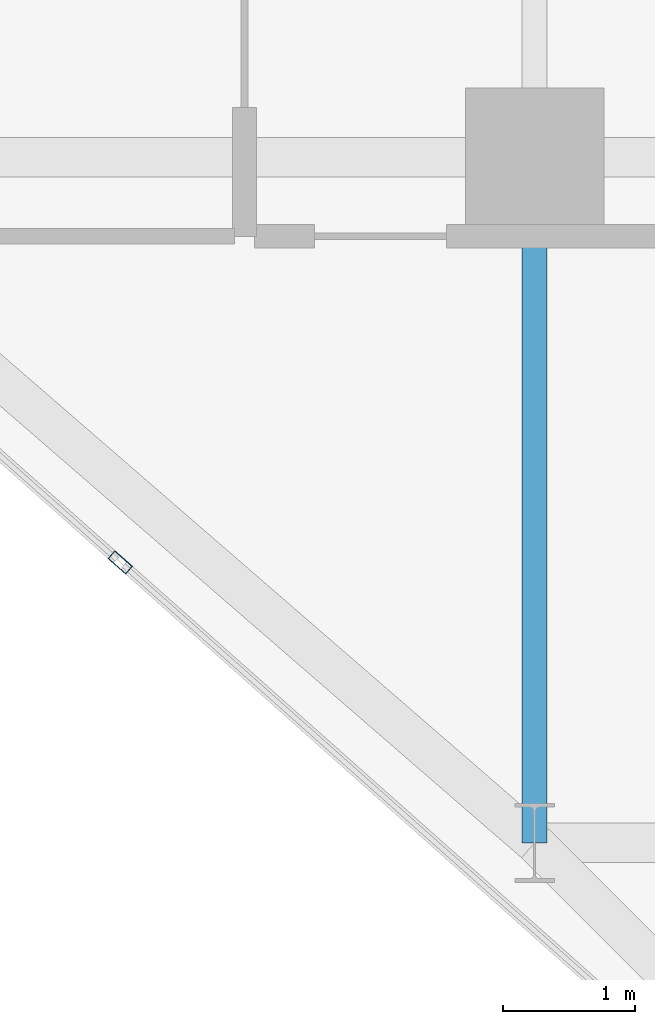
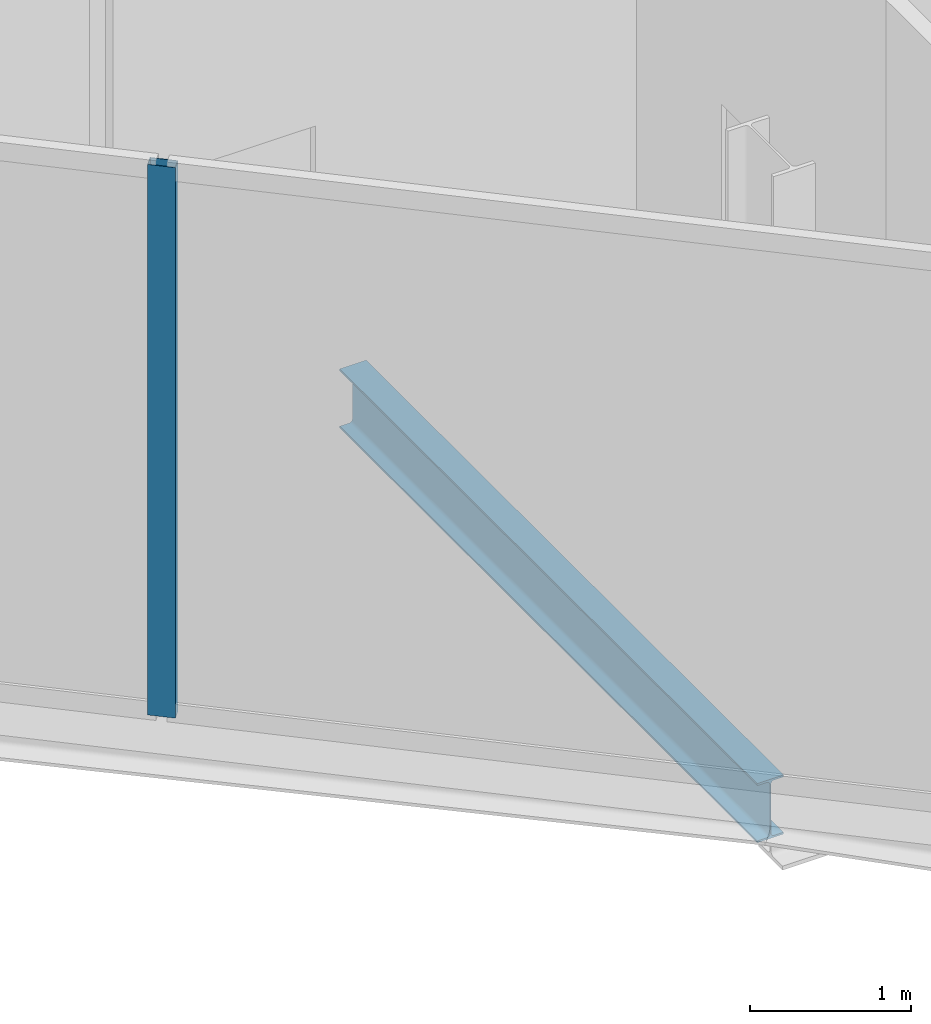
# One storey, part 3 of 30: 1 beam, 1 member, 1 element without a shape of its own.
"""IFC4 building model written with IfcOpenShell, lengths in metres."""

import ifcopenshell
import ifcopenshell.guid

model = None  # the IFC model being written
_history = None  # IfcOwnerHistory: only IFC2X3 demands one
_inside = {}  # id of a spatial element -> (the spatial element, [elements in it])
_under = {}  # id of a project, library or spatial element -> (it, [spatial elements below it])
_declared = {}  # id of a project -> (the project, [libraries it declares])
_typed = {}  # id of a type object -> (the type object, [elements of that type])
_made_of = {}  # id of a material, layer set ... -> (it, [elements and type objects made of it])


def new_model(schema):
    """Start an empty IFC model of exactly this schema.

    Asked for "IFC4X3", IfcOpenShell would pick the latest addendum, in which some entities
    have other attributes; the version numbers below select the first issue.
    IFC2X3 requires an IfcOwnerHistory on every rooted entity: one is made here for all.
    """
    global model, _history
    if schema == "IFC4X3":
        model = ifcopenshell.file(schema_version=(4, 3, 0, 0))
    else:
        model = ifcopenshell.file(schema=schema)
    _inside.clear()
    _under.clear()
    _declared.clear()
    _typed.clear()
    _made_of.clear()
    _history = None
    if model.schema == "IFC2X3":
        org = make("IfcOrganization", Name="unknown")
        user = make(
            "IfcPersonAndOrganization",
            ThePerson=make("IfcPerson", FamilyName="unknown"),
            TheOrganization=org,
        )
        app = make(
            "IfcApplication",
            ApplicationDeveloper=org,
            Version="unknown",
            ApplicationFullName="unknown",
            ApplicationIdentifier="unknown",
        )
        _history = make(
            "IfcOwnerHistory",
            OwningUser=user,
            OwningApplication=app,
            ChangeAction="ADDED",
            CreationDate=0,
        )
    return model


def make(cls, **values):
    """One entity of the class cls with the attributes given. An attribute that is None is left unset."""
    return model.create_entity(
        cls, **{name: value for name, value in values.items() if value is not None}
    )


def rooted(cls, **values):
    """An entity with a GlobalId (a new one), such as an element, a storey or a relation."""
    return make(cls, GlobalId=ifcopenshell.guid.new(), OwnerHistory=_history, **values)


def si_unit(unit_type, name, prefix=None):
    """IfcSIUnit, for example si_unit("LENGTHUNIT", "METRE", prefix="MILLI")."""
    return make("IfcSIUnit", UnitType=unit_type, Prefix=prefix, Name=name)


def assignment(units):
    """IfcUnitAssignment: the units of a project."""
    return None if units is None else make("IfcUnitAssignment", Units=units)


def point(xyz):
    """IfcCartesianPoint."""
    return None if xyz is None else make("IfcCartesianPoint", Coordinates=xyz)


def direction(xyz):
    """IfcDirection."""
    return None if xyz is None else make("IfcDirection", DirectionRatios=xyz)


def frame(location, z_axis=None, x_axis=None):
    """IfcAxis2Placement3D, a coordinate frame: its origin and axes. An axis left out is left unset."""
    return make(
        "IfcAxis2Placement3D",
        Location=point(location),
        Axis=direction(z_axis),
        RefDirection=direction(x_axis),
    )


def frame_2d(location, x_axis=None):
    """IfcAxis2Placement2D, a coordinate frame in the plane: its origin and x axis."""
    return make(
        "IfcAxis2Placement2D", Location=point(location), RefDirection=direction(x_axis)
    )


def origin():
    """The frame at (0, 0, 0) with its axes left unset."""
    return frame((0.0, 0.0, 0.0))


def origin_2d():
    """The frame at (0, 0) in the plane with its x axis left unset."""
    return frame_2d((0.0, 0.0))


def place(relative_to, where):
    """IfcLocalPlacement: puts the frame where relative to a parent placement (None: the world)."""
    return make(
        "IfcLocalPlacement", PlacementRelTo=relative_to, RelativePlacement=where
    )


def context(
    kind, dimensions, precision=None, world=None, true_north=None, identifier=None
):
    """IfcGeometricRepresentationContext, for example the 3D "Model" context."""
    return make(
        "IfcGeometricRepresentationContext",
        ContextIdentifier=identifier,
        ContextType=kind,
        CoordinateSpaceDimension=dimensions,
        Precision=precision,
        WorldCoordinateSystem=world,
        TrueNorth=true_north,
    )


def subcontext(parent, identifier, kind, view, scale=None):
    """IfcGeometricRepresentationSubContext, for example "Body" below "Model"."""
    return make(
        "IfcGeometricRepresentationSubContext",
        ContextIdentifier=identifier,
        ContextType=kind,
        ParentContext=parent,
        TargetScale=scale,
        TargetView=view,
    )


def project(units=None, contexts=None):
    """IfcProject with its units and contexts."""
    return rooted(
        "IfcProject",
        Name="project",
        RepresentationContexts=contexts,
        UnitsInContext=assignment(units),
    )


def spatial(cls, under=None, at=None, **own):
    """A site, building, storey or space (cls), placed at a placement, below another one or the project."""
    s = rooted(cls, ObjectPlacement=at, **own)
    if under is not None:
        _under.setdefault(under.id(), (under, []))[1].append(s)
    return s


def profile(cls, at=None, kind="AREA", **sizes):
    """A parametric profile (cls). Its sizes go by their IFC names, for example OverallWidth=200.0."""
    return make(cls, ProfileType=kind, Position=at, **sizes)


def hollow_rectangle(**sizes):
    """IfcRectangleHollowProfileDef."""
    return profile("IfcRectangleHollowProfileDef", **sizes)


def i_section(**sizes):
    """IfcIShapeProfileDef."""
    return profile("IfcIShapeProfileDef", **sizes)


def extrude(swept, where, along, depth):
    """IfcExtrudedAreaSolid: the profile swept, set in the frame where, extruded along a direction by depth."""
    return make(
        "IfcExtrudedAreaSolid",
        SweptArea=swept,
        Position=where,
        ExtrudedDirection=direction(along),
        Depth=depth,
    )


def shape(context_of_items, identifier, shape_type, items):
    """IfcShapeRepresentation: the items that make up one representation, for example the "Body"."""
    return make(
        "IfcShapeRepresentation",
        ContextOfItems=context_of_items,
        RepresentationIdentifier=identifier,
        RepresentationType=shape_type,
        Items=items,
    )


def material(Name=None, Category=None):
    """IfcMaterial."""
    return make("IfcMaterial", Name=Name, Category=Category)


def layer(
    of_material, thickness, ventilated=None, Name=None, Category=None, Priority=None
):
    """IfcMaterialLayer: one layer of a wall or slab, of a material (None: an air gap)."""
    return make(
        "IfcMaterialLayer",
        Material=of_material,
        LayerThickness=thickness,
        IsVentilated=ventilated,
        Name=Name,
        Category=Category,
        Priority=Priority,
    )


def layer_set(layers, Name=None):
    """IfcMaterialLayerSet."""
    return make("IfcMaterialLayerSet", MaterialLayers=layers, LayerSetName=Name)


def material_profile(
    of_material, cross_section, Name=None, Category=None, Priority=None
):
    """IfcMaterialProfile: a cross section and its material."""
    return make(
        "IfcMaterialProfile",
        Name=Name,
        Material=of_material,
        Profile=cross_section,
        Priority=Priority,
        Category=Category,
    )


def profile_set(profiles, Name=None, composite=None):
    """IfcMaterialProfileSet."""
    return make(
        "IfcMaterialProfileSet",
        Name=Name,
        MaterialProfiles=profiles,
        CompositeProfile=composite,
    )


def made_of(thing, what):
    """Note that an element or type object is made of a material, layer set ...; save() writes the relation."""
    if what is not None:
        _made_of.setdefault(what.id(), (what, []))[1].append(thing)
    return thing


def type_object(cls, material=None, **own):
    """A type object (cls), such as IfcWallType, which elements share."""
    return made_of(rooted(cls, **own), material)


def element(
    cls,
    number,
    at=None,
    inside=None,
    cuts=None,
    type_object=None,
    material=None,
    context=None,
    identifier="Body",
    shape_type=None,
    held_by="IfcProductDefinitionShape",
    body=None,
    shapes=None,
    **own,
):
    """One element of the class cls, such as IfcWall. Its Tag is "e" and its number.

    at: its placement. inside: the storey or other place that contains it. cuts: it is an
    opening in that element (IfcRelVoidsElement). A single representation is given by context,
    identifier, shape_type and body (its items); several are given by shapes. held_by: the class
    of the entity that holds the representations. save() writes the other relations.
    """
    e = rooted(cls, Tag="e%d" % number, ObjectPlacement=at, **own)
    if body is not None:
        shapes = [shape(context, identifier, shape_type, body)]
    if shapes is not None:
        e.Representation = make(held_by, Representations=shapes)
    if inside is not None:
        _inside.setdefault(inside.id(), (inside, []))[1].append(e)
    if cuts is not None:
        rooted(
            "IfcRelVoidsElement", RelatingBuildingElement=cuts, RelatedOpeningElement=e
        )
    if type_object is not None:
        _typed.setdefault(type_object.id(), (type_object, []))[1].append(e)
    return made_of(e, material)


def aggregate(whole, parts):
    """IfcRelAggregates: a whole, such as a stair, and the parts it consists of."""
    return rooted("IfcRelAggregates", RelatingObject=whole, RelatedObjects=parts)


def save(model, path):
    """Write the relations noted so far, then the file.

    IfcRelAggregates (storeys below a building ...), IfcRelContainedInSpatialStructure (elements
    in a storey), IfcRelDefinesByType, IfcRelAssociatesMaterial and IfcRelDeclares: one each for
    every whole, place, type object, material and project.
    """
    for whole, parts in _under.values():
        aggregate(whole, parts)
    for where, things in _inside.values():
        rooted(
            "IfcRelContainedInSpatialStructure",
            RelatedElements=things,
            RelatingStructure=where,
        )
    for kind, things in _typed.values():
        rooted("IfcRelDefinesByType", RelatedObjects=things, RelatingType=kind)
    for what, things in _made_of.values():
        rooted("IfcRelAssociatesMaterial", RelatedObjects=things, RelatingMaterial=what)
    for by, libraries in _declared.values():
        rooted("IfcRelDeclares", RelatingContext=by, RelatedDefinitions=libraries)
    model.write(path)


model = new_model("IFC4")

# Units and contexts
model_context = context("Model", 3, precision=1e-05, world=origin(), true_north=direction((0.0, 1.0)))
body_context = subcontext(model_context, "Body", "Model", "MODEL_VIEW")
ifc_project = project(units=[si_unit("LENGTHUNIT", "METRE"), si_unit("AREAUNIT", "SQUARE_METRE"), si_unit("VOLUMEUNIT", "CUBIC_METRE"), si_unit("PLANEANGLEUNIT", "RADIAN"), si_unit("MASSUNIT", "GRAM", prefix="KILO")], contexts=[model_context])

# Site, building, storey
site_placement = place(None, origin())
site = spatial("IfcSite", under=ifc_project, at=site_placement, CompositionType="ELEMENT")
building_placement = place(site_placement, origin())
building = spatial("IfcBuilding", under=site, at=building_placement, Name="Keshet Zoharim Tower", CompositionType="ELEMENT")
storey_placement = place(building_placement, frame((0.0, 0.0, 86.39990234375)))
storey = spatial("IfcBuildingStorey", under=building, at=storey_placement, Name="L20", CompositionType="ELEMENT", Elevation=86.39990234375)

# Beam
ifc_material_1 = material(Name="Steel S355", Category="steel")
ifc_material_profile_1 = material_profile(ifc_material_1, i_section(OverallWidth=0.18994140625, OverallDepth=0.449951171875, WebThickness=0.009521484375, FlangeThickness=0.0146484375, FilletRadius=0.02099609375, at=origin_2d()), Name="IPE450")
ifc_profile_set_1 = profile_set([ifc_material_profile_1], Name="Steel S355")
beam_type = type_object("IfcBeamType", Name="BM-PRI-IP450", PredefinedType="BEAM", material=ifc_profile_set_1)
beam_placement = place(storey_placement, frame((15.0, 12.699951171875, -0.539794921875), z_axis=(0.0, 1.0, 0.0), x_axis=(-1.0, 0.0, 0.0)))
element("IfcBeam", 1, at=beam_placement, inside=storey, type_object=beam_type, Name="L20 Primary Girder Y-002", PredefinedType="BEAM", context=body_context, shape_type="SweptSolid", body=[
    extrude(i_section(OverallWidth=0.18994140625, OverallDepth=0.449951171875, WebThickness=0.009521484375, FlangeThickness=0.0146484375, FilletRadius=0.02099609375, at=origin_2d()), origin(), (0.0, 0.0, 1.0), 5.199951171875),
])

# Curtain wall, member
ifc_material_2 = material(Name="Aluminium 6063-T6", Category="aluminium")
ifc_layer = layer(ifc_material_2, 0.159912109375)
ifc_layer_set = layer_set([ifc_layer], Name="Aluminium 6063-T6")
curtain_wall_type = type_object("IfcCurtainWallType", Name="CW-SYS-03", PredefinedType="NOTDEFINED", material=ifc_layer_set)
curtain_wall_placement = place(storey_placement, origin())
curtain_wall = element("IfcCurtainWall", 2, at=curtain_wall_placement, inside=storey, type_object=curtain_wall_type, Name="L20 Unitised Curtain Wall 07 Part 2", PredefinedType="NOTDEFINED")
ifc_material_profile_2 = material_profile(ifc_material_2, hollow_rectangle(XDim=0.080078125, YDim=0.179931640625, WallThickness=0.00439453125, at=origin_2d()), Name="MUL-80x180")
ifc_profile_set_2 = profile_set([ifc_material_profile_2], Name="Aluminium 6063-T6")
member_type = type_object("IfcMemberType", Name="CWM-M18", PredefinedType="MULLION", material=ifc_profile_set_2)
member_placement = place(storey_placement, frame((11.85791015625, 14.826416015625, 0.0), z_axis=(0.0, 0.0, 1.0), x_axis=(-0.664364135343, -0.747409055117, 0.0)))
member = element("IfcMember", 3, at=member_placement, type_object=member_type, Name="CW-03 mullion 2", PredefinedType="MULLION", context=body_context, shape_type="SweptSolid", body=[
    extrude(hollow_rectangle(XDim=0.080078125, YDim=0.179931640625, WallThickness=0.00439453125, at=origin_2d()), origin(), (0.0, 0.0, 1.0), 4.18505859375),
])
aggregate(curtain_wall, [member])

save(model, "model.ifc")
